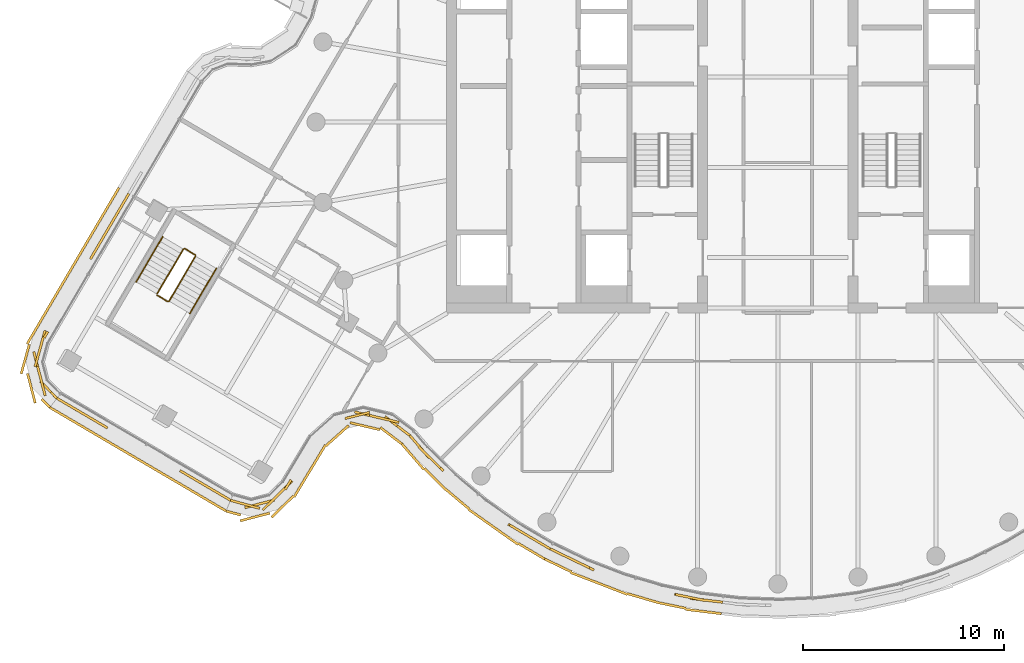
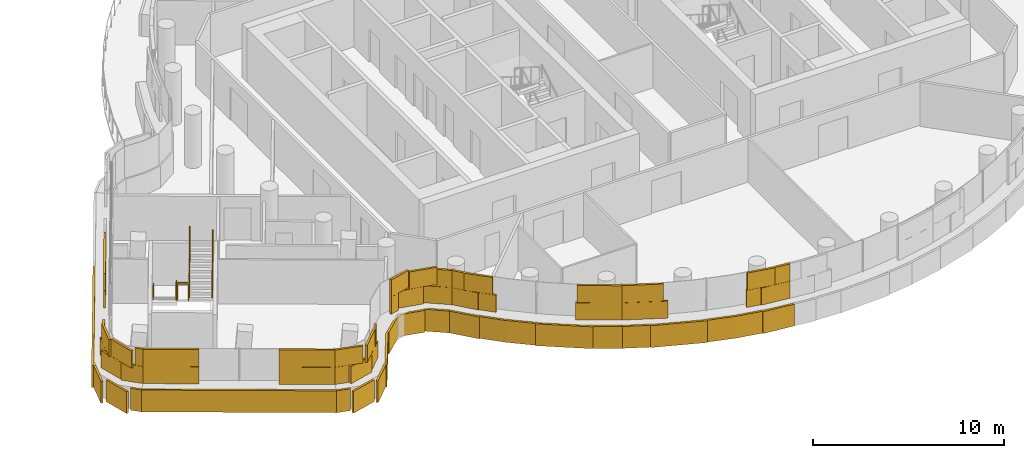
# One storey, part 21 of 26: 6 railings, 5 coverings.
"""IFC4 building model written with IfcOpenShell, lengths in metres."""

import ifcopenshell
import ifcopenshell.guid

model = None  # the IFC model being written
_history = None  # IfcOwnerHistory: only IFC2X3 demands one
_inside = {}  # id of a spatial element -> (the spatial element, [elements in it])
_under = {}  # id of a project, library or spatial element -> (it, [spatial elements below it])
_declared = {}  # id of a project -> (the project, [libraries it declares])
_typed = {}  # id of a type object -> (the type object, [elements of that type])
_made_of = {}  # id of a material, layer set ... -> (it, [elements and type objects made of it])


def new_model(schema):
    """Start an empty IFC model of exactly this schema.

    Asked for "IFC4X3", IfcOpenShell would pick the latest addendum, in which some entities
    have other attributes; the version numbers below select the first issue.
    IFC2X3 requires an IfcOwnerHistory on every rooted entity: one is made here for all.
    """
    global model, _history
    if schema == "IFC4X3":
        model = ifcopenshell.file(schema_version=(4, 3, 0, 0))
    else:
        model = ifcopenshell.file(schema=schema)
    _inside.clear()
    _under.clear()
    _declared.clear()
    _typed.clear()
    _made_of.clear()
    _history = None
    if model.schema == "IFC2X3":
        org = make("IfcOrganization", Name="unknown")
        user = make(
            "IfcPersonAndOrganization",
            ThePerson=make("IfcPerson", FamilyName="unknown"),
            TheOrganization=org,
        )
        app = make(
            "IfcApplication",
            ApplicationDeveloper=org,
            Version="unknown",
            ApplicationFullName="unknown",
            ApplicationIdentifier="unknown",
        )
        _history = make(
            "IfcOwnerHistory",
            OwningUser=user,
            OwningApplication=app,
            ChangeAction="ADDED",
            CreationDate=0,
        )
    return model


def make(cls, **values):
    """One entity of the class cls with the attributes given. An attribute that is None is left unset."""
    return model.create_entity(
        cls, **{name: value for name, value in values.items() if value is not None}
    )


def rooted(cls, **values):
    """An entity with a GlobalId (a new one), such as an element, a storey or a relation."""
    return make(cls, GlobalId=ifcopenshell.guid.new(), OwnerHistory=_history, **values)


def si_unit(unit_type, name, prefix=None):
    """IfcSIUnit, for example si_unit("LENGTHUNIT", "METRE", prefix="MILLI")."""
    return make("IfcSIUnit", UnitType=unit_type, Prefix=prefix, Name=name)


def assignment(units):
    """IfcUnitAssignment: the units of a project."""
    return None if units is None else make("IfcUnitAssignment", Units=units)


def point(xyz):
    """IfcCartesianPoint."""
    return None if xyz is None else make("IfcCartesianPoint", Coordinates=xyz)


def direction(xyz):
    """IfcDirection."""
    return None if xyz is None else make("IfcDirection", DirectionRatios=xyz)


def frame(location, z_axis=None, x_axis=None):
    """IfcAxis2Placement3D, a coordinate frame: its origin and axes. An axis left out is left unset."""
    return make(
        "IfcAxis2Placement3D",
        Location=point(location),
        Axis=direction(z_axis),
        RefDirection=direction(x_axis),
    )


def frame_2d(location, x_axis=None):
    """IfcAxis2Placement2D, a coordinate frame in the plane: its origin and x axis."""
    return make(
        "IfcAxis2Placement2D", Location=point(location), RefDirection=direction(x_axis)
    )


def origin():
    """The frame at (0, 0, 0) with its axes left unset."""
    return frame((0.0, 0.0, 0.0))


def origin_2d():
    """The frame at (0, 0) in the plane with its x axis left unset."""
    return frame_2d((0.0, 0.0))


def place(relative_to, where):
    """IfcLocalPlacement: puts the frame where relative to a parent placement (None: the world)."""
    return make(
        "IfcLocalPlacement", PlacementRelTo=relative_to, RelativePlacement=where
    )


def context(
    kind, dimensions, precision=None, world=None, true_north=None, identifier=None
):
    """IfcGeometricRepresentationContext, for example the 3D "Model" context."""
    return make(
        "IfcGeometricRepresentationContext",
        ContextIdentifier=identifier,
        ContextType=kind,
        CoordinateSpaceDimension=dimensions,
        Precision=precision,
        WorldCoordinateSystem=world,
        TrueNorth=true_north,
    )


def subcontext(parent, identifier, kind, view, scale=None):
    """IfcGeometricRepresentationSubContext, for example "Body" below "Model"."""
    return make(
        "IfcGeometricRepresentationSubContext",
        ContextIdentifier=identifier,
        ContextType=kind,
        ParentContext=parent,
        TargetScale=scale,
        TargetView=view,
    )


def project(units=None, contexts=None):
    """IfcProject with its units and contexts."""
    return rooted(
        "IfcProject",
        Name="project",
        RepresentationContexts=contexts,
        UnitsInContext=assignment(units),
    )


def spatial(cls, under=None, at=None, **own):
    """A site, building, storey or space (cls), placed at a placement, below another one or the project."""
    s = rooted(cls, ObjectPlacement=at, **own)
    if under is not None:
        _under.setdefault(under.id(), (under, []))[1].append(s)
    return s


def profile(cls, at=None, kind="AREA", **sizes):
    """A parametric profile (cls). Its sizes go by their IFC names, for example OverallWidth=200.0."""
    return make(cls, ProfileType=kind, Position=at, **sizes)


def rectangle(**sizes):
    """IfcRectangleProfileDef."""
    return profile("IfcRectangleProfileDef", **sizes)


def circle(**sizes):
    """IfcCircleProfileDef."""
    return profile("IfcCircleProfileDef", **sizes)


def extrude(swept, where, along, depth):
    """IfcExtrudedAreaSolid: the profile swept, set in the frame where, extruded along a direction by depth."""
    return make(
        "IfcExtrudedAreaSolid",
        SweptArea=swept,
        Position=where,
        ExtrudedDirection=direction(along),
        Depth=depth,
    )


def shape(context_of_items, identifier, shape_type, items):
    """IfcShapeRepresentation: the items that make up one representation, for example the "Body"."""
    return make(
        "IfcShapeRepresentation",
        ContextOfItems=context_of_items,
        RepresentationIdentifier=identifier,
        RepresentationType=shape_type,
        Items=items,
    )


def material(Name=None, Category=None):
    """IfcMaterial."""
    return make("IfcMaterial", Name=Name, Category=Category)


def layer(
    of_material, thickness, ventilated=None, Name=None, Category=None, Priority=None
):
    """IfcMaterialLayer: one layer of a wall or slab, of a material (None: an air gap)."""
    return make(
        "IfcMaterialLayer",
        Material=of_material,
        LayerThickness=thickness,
        IsVentilated=ventilated,
        Name=Name,
        Category=Category,
        Priority=Priority,
    )


def layer_set(layers, Name=None):
    """IfcMaterialLayerSet."""
    return make("IfcMaterialLayerSet", MaterialLayers=layers, LayerSetName=Name)


def made_of(thing, what):
    """Note that an element or type object is made of a material, layer set ...; save() writes the relation."""
    if what is not None:
        _made_of.setdefault(what.id(), (what, []))[1].append(thing)
    return thing


def type_object(cls, material=None, **own):
    """A type object (cls), such as IfcWallType, which elements share."""
    return made_of(rooted(cls, **own), material)


def element(
    cls,
    number,
    at=None,
    inside=None,
    cuts=None,
    type_object=None,
    material=None,
    context=None,
    identifier="Body",
    shape_type=None,
    held_by="IfcProductDefinitionShape",
    body=None,
    shapes=None,
    **own,
):
    """One element of the class cls, such as IfcWall. Its Tag is "e" and its number.

    at: its placement. inside: the storey or other place that contains it. cuts: it is an
    opening in that element (IfcRelVoidsElement). A single representation is given by context,
    identifier, shape_type and body (its items); several are given by shapes. held_by: the class
    of the entity that holds the representations. save() writes the other relations.
    """
    e = rooted(cls, Tag="e%d" % number, ObjectPlacement=at, **own)
    if body is not None:
        shapes = [shape(context, identifier, shape_type, body)]
    if shapes is not None:
        e.Representation = make(held_by, Representations=shapes)
    if inside is not None:
        _inside.setdefault(inside.id(), (inside, []))[1].append(e)
    if cuts is not None:
        rooted(
            "IfcRelVoidsElement", RelatingBuildingElement=cuts, RelatedOpeningElement=e
        )
    if type_object is not None:
        _typed.setdefault(type_object.id(), (type_object, []))[1].append(e)
    return made_of(e, material)


def aggregate(whole, parts):
    """IfcRelAggregates: a whole, such as a stair, and the parts it consists of."""
    return rooted("IfcRelAggregates", RelatingObject=whole, RelatedObjects=parts)


def save(model, path):
    """Write the relations noted so far, then the file.

    IfcRelAggregates (storeys below a building ...), IfcRelContainedInSpatialStructure (elements
    in a storey), IfcRelDefinesByType, IfcRelAssociatesMaterial and IfcRelDeclares: one each for
    every whole, place, type object, material and project.
    """
    for whole, parts in _under.values():
        aggregate(whole, parts)
    for where, things in _inside.values():
        rooted(
            "IfcRelContainedInSpatialStructure",
            RelatedElements=things,
            RelatingStructure=where,
        )
    for kind, things in _typed.values():
        rooted("IfcRelDefinesByType", RelatedObjects=things, RelatingType=kind)
    for what, things in _made_of.values():
        rooted("IfcRelAssociatesMaterial", RelatedObjects=things, RelatingMaterial=what)
    for by, libraries in _declared.values():
        rooted("IfcRelDeclares", RelatingContext=by, RelatedDefinitions=libraries)
    model.write(path)


model = new_model("IFC4")

# Units and contexts
model_context = context("Model", 3, precision=1e-05, world=origin(), true_north=direction((0.0, 1.0)))
body_context = subcontext(model_context, "Body", "Model", "MODEL_VIEW")
ifc_project = project(units=[si_unit("LENGTHUNIT", "METRE"), si_unit("AREAUNIT", "SQUARE_METRE"), si_unit("VOLUMEUNIT", "CUBIC_METRE"), si_unit("PLANEANGLEUNIT", "RADIAN"), si_unit("MASSUNIT", "GRAM", prefix="KILO")], contexts=[model_context])

# Site, building, storey
site_placement = place(None, origin())
site = spatial("IfcSite", under=ifc_project, at=site_placement, CompositionType="ELEMENT")
building_placement = place(site_placement, origin())
building = spatial("IfcBuilding", under=site, at=building_placement, Name="Tamarind Cross Interchange Tower", CompositionType="ELEMENT")
storey_placement = place(building_placement, frame((0.0, 0.0, 248.699951171875)))
storey = spatial("IfcBuildingStorey", under=building, at=storey_placement, Name="L63", CompositionType="ELEMENT", Elevation=248.699951171875)

# Railings
ifc_material_1 = material(Name="Stair guard")
railing_type_1 = type_object("IfcRailingType", Name="Stair guard", PredefinedType="GUARDRAIL", material=ifc_material_1)
railing_1_placement = place(storey_placement, frame((-29.6005859375, -6.320068359375, 0.16357421875)))
element("IfcRailing", 1, at=railing_1_placement, inside=storey, type_object=railing_type_1, Name="L63 ST5 stair guard 1", PredefinedType="GUARDRAIL", context=body_context, shape_type="SweptSolid", body=[
    extrude(circle(Radius=0.02392578125, at=origin_2d()), frame((0.0, 0.0, 1.076171875), z_axis=(-0.428889419819, -0.729596769198, 0.532674778775), x_axis=(0.862081423125, -0.506769789849, 0.0)), (0.0, 0.0, 1.0), 3.072265625),
    extrude(circle(Radius=0.02099609375, at=origin_2d()), origin(), (0.0, 0.0, 1.0), 1.052001953125),
    extrude(circle(Radius=0.02099609375, at=origin_2d()), frame((-0.439208984375, -0.7470703125, 0.54541015625)), (0.0, 0.0, 1.0), 1.052001953125),
    extrude(circle(Radius=0.02099609375, at=origin_2d()), frame((-0.87841796875, -1.494384765625, 1.091064453125)), (0.0, 0.0, 1.0), 1.052001953125),
    extrude(circle(Radius=0.02099609375, at=origin_2d()), frame((-1.317626953125, -2.241455078125, 1.636474609375)), (0.0, 0.0, 1.0), 1.052001953125),
])
railing_2_placement = place(storey_placement, frame((-30.900390625, -8.6298828125, 1.800048828125)))
element("IfcRailing", 2, at=railing_2_placement, inside=storey, type_object=railing_type_1, Name="L63 ST5 stair guard 2", PredefinedType="GUARDRAIL", context=body_context, shape_type="SweptSolid", body=[
    extrude(circle(Radius=0.02392578125, at=origin_2d()), frame((0.0, 0.0, 1.076171875), z_axis=(0.862017864933, -0.506877895095, 0.0), x_axis=(0.506877895095, 0.862017864933, 0.0)), (0.0, 0.0, 1.0), 0.60009765625),
    extrude(circle(Radius=0.02099609375, at=origin_2d()), origin(), (0.0, 0.0, 1.0), 1.052001953125),
    extrude(circle(Radius=0.02099609375, at=origin_2d()), frame((0.517333984375, -0.30419921875, 0.0)), (0.0, 0.0, 1.0), 1.052001953125),
])
railing_3_placement = place(storey_placement, frame((-30.314697265625, -8.916259765625, 1.963623046875)))
element("IfcRailing", 3, at=railing_3_placement, inside=storey, type_object=railing_type_1, Name="L63 ST5 stair guard 3", PredefinedType="GUARDRAIL", context=body_context, shape_type="SweptSolid", body=[
    extrude(circle(Radius=0.02392578125, at=origin_2d()), frame((0.0, 0.0, 1.076171875), z_axis=(0.428889419819, 0.729596769198, 0.532674778775), x_axis=(-0.862081423125, 0.506769789849, 0.0)), (0.0, 0.0, 1.0), 3.072265625),
    extrude(circle(Radius=0.02099609375, at=origin_2d()), origin(), (0.0, 0.0, 1.0), 1.052001953125),
    extrude(circle(Radius=0.02099609375, at=origin_2d()), frame((0.439208984375, 0.7470703125, 0.54541015625)), (0.0, 0.0, 1.0), 1.052001953125),
    extrude(circle(Radius=0.02099609375, at=origin_2d()), frame((0.87841796875, 1.494384765625, 1.091064453125)), (0.0, 0.0, 1.0), 1.052001953125),
    extrude(circle(Radius=0.02099609375, at=origin_2d()), frame((1.317626953125, 2.241455078125, 1.636474609375)), (0.0, 0.0, 1.0), 1.052001953125),
])
railing_4_placement = place(storey_placement, frame((-29.5322265625, -6.30224609375, 0.0)))
element("IfcRailing", 4, at=railing_4_placement, inside=storey, type_object=railing_type_1, Name="L63 ST5 stair guard 4", PredefinedType="GUARDRAIL", context=body_context, shape_type="SweptSolid", body=[
    extrude(circle(Radius=0.02392578125, at=origin_2d()), frame((0.0, 0.0, 1.076171875), z_axis=(0.862195596642, -0.506575515724, 0.0), x_axis=(0.506575515724, 0.862195596642, 0.0)), (0.0, 0.0, 1.0), 0.60009765625),
    extrude(circle(Radius=0.02099609375, at=origin_2d()), origin(), (0.0, 0.0, 1.0), 1.052001953125),
    extrude(circle(Radius=0.02099609375, at=origin_2d()), frame((0.517333984375, -0.303955078125, 0.0)), (0.0, 0.0, 1.0), 1.052001953125),
])
ifc_material_2 = material(Name="Stair handrail")
railing_type_2 = type_object("IfcRailingType", Name="Stair handrail", PredefinedType="HANDRAIL", material=ifc_material_2)
railing_5_placement = place(storey_placement, frame((-30.63525390625, -5.7119140625, 0.16357421875)))
element("IfcRailing", 5, at=railing_5_placement, inside=storey, type_object=railing_type_2, Name="L63 ST5 stair handrail 1", PredefinedType="HANDRAIL", context=body_context, shape_type="SweptSolid", body=[
    extrude(circle(Radius=0.02392578125, at=origin_2d()), frame((0.0, 0.0, 0.8759765625), z_axis=(-0.428824566241, -0.729621635037, 0.532692933194), x_axis=(0.862122444297, -0.506700001026, 0.0)), (0.0, 0.0, 1.0), 3.072021484375),
    extrude(circle(Radius=0.02099609375, at=origin_2d()), origin(), (0.0, 0.0, 1.0), 0.851806640625),
    extrude(circle(Radius=0.02099609375, at=origin_2d()), frame((-0.439208984375, -0.7470703125, 0.54541015625)), (0.0, 0.0, 1.0), 0.851806640625),
    extrude(circle(Radius=0.02099609375, at=origin_2d()), frame((-0.878173828125, -1.494384765625, 1.091064453125)), (0.0, 0.0, 1.0), 0.851806640625),
    extrude(circle(Radius=0.02099609375, at=origin_2d()), frame((-1.3173828125, -2.241455078125, 1.636474609375)), (0.0, 0.0, 1.0), 0.851806640625),
])
railing_6_placement = place(storey_placement, frame((-29.2802734375, -9.524169921875, 1.963623046875)))
element("IfcRailing", 6, at=railing_6_placement, inside=storey, type_object=railing_type_2, Name="L63 ST5 stair handrail 2", PredefinedType="HANDRAIL", context=body_context, shape_type="SweptSolid", body=[
    extrude(circle(Radius=0.02392578125, at=origin_2d()), frame((0.0, 0.0, 0.8759765625), z_axis=(0.428889419819, 0.729596769198, 0.532674778775), x_axis=(-0.862081423125, 0.506769789849, 0.0)), (0.0, 0.0, 1.0), 3.072265625),
    extrude(circle(Radius=0.02099609375, at=origin_2d()), origin(), (0.0, 0.0, 1.0), 0.851806640625),
    extrude(circle(Radius=0.02099609375, at=origin_2d()), frame((0.439208984375, 0.7470703125, 0.54541015625)), (0.0, 0.0, 1.0), 0.851806640625),
    extrude(circle(Radius=0.02099609375, at=origin_2d()), frame((0.87841796875, 1.494384765625, 1.091064453125)), (0.0, 0.0, 1.0), 0.851806640625),
    extrude(circle(Radius=0.02099609375, at=origin_2d()), frame((1.317626953125, 2.241455078125, 1.636474609375)), (0.0, 0.0, 1.0), 0.851806640625),
])

# Coverings
ifc_material_3 = material(Name="Terracotta", Category="masonry")
ifc_layer = layer(ifc_material_3, 0.1201171875)
ifc_layer_set = layer_set([ifc_layer], Name="Terracotta")
covering_type = type_object("IfcCoveringType", Name="Terracotta baguette screen unit", PredefinedType="MOLDING", material=ifc_layer_set)
covering_1_placement = place(storey_placement, origin())
element("IfcCovering", 7, at=covering_1_placement, inside=storey, type_object=covering_type, Name="SCR-L63-00-00", PredefinedType="MOLDING", context=body_context, shape_type="SweptSolid", body=[
    extrude(rectangle(XDim=0.760009765625, YDim=0.1201171875, at=origin_2d()), frame((-35.574462890625, -13.943603515625, 1.40380859375), z_axis=(0.0, 0.0, 1.0), x_axis=(0.862103583695, -0.506732089945, 0.0)), (0.0, 0.0, 1.0), 1.092041015625),
    extrude(rectangle(XDim=1.52001953125, YDim=0.1201171875, at=origin_2d()), frame((-34.6044921875, -14.513671875, 1.40380859375), z_axis=(0.0, 0.0, 1.0), x_axis=(0.862103583695, -0.506732089945, 0.0)), (0.0, 0.0, 1.0), 1.092041015625),
    extrude(rectangle(XDim=0.671875, YDim=0.1201171875, at=origin_2d()), frame((-33.672607421875, -15.061279296875, 1.40380859375), z_axis=(0.0, 0.0, 1.0), x_axis=(0.862103583695, -0.506732089945, 0.0)), (0.0, 0.0, 1.0), 1.092041015625),
    extrude(rectangle(XDim=1.148193359375, YDim=0.1201171875, at=origin_2d()), frame((-29.27587890625, -17.645751953125, 1.40380859375), z_axis=(0.0, 0.0, 1.0), x_axis=(0.862103583695, -0.506732089945, 0.0)), (0.0, 0.0, 1.0), 1.092041015625),
    extrude(rectangle(XDim=1.52001953125, YDim=0.1201171875, at=origin_2d()), frame((-28.138671875, -18.314208984375, 1.40380859375), z_axis=(0.0, 0.0, 1.0), x_axis=(0.862103583695, -0.506732089945, 0.0)), (0.0, 0.0, 1.0), 1.092041015625),
    extrude(rectangle(XDim=0.28369140625, YDim=0.1201171875, at=origin_2d()), frame((-27.374267578125, -18.763427734375, 1.40380859375), z_axis=(0.0, 0.0, 1.0), x_axis=(0.862103583695, -0.506732089945, 0.0)), (0.0, 0.0, 1.0), 1.092041015625),
    extrude(rectangle(XDim=1.510009765625, YDim=0.1201171875, at=origin_2d()), frame((-35.2509765625, -14.133544921875, 2.50390625), z_axis=(0.0, 0.0, 1.0), x_axis=(0.862103583695, -0.506732089945, 0.0)), (0.0, 0.0, 1.0), 1.092041015625),
    extrude(rectangle(XDim=1.421875, YDim=0.1201171875, at=origin_2d()), frame((-33.995849609375, -14.871337890625, 2.50390625), z_axis=(0.0, 0.0, 1.0), x_axis=(0.862103583695, -0.506732089945, 0.0)), (0.0, 0.0, 1.0), 1.092041015625),
    extrude(rectangle(XDim=0.398193359375, YDim=0.1201171875, at=origin_2d()), frame((-29.59912109375, -17.45556640625, 2.50390625), z_axis=(0.0, 0.0, 1.0), x_axis=(0.862103583695, -0.506732089945, 0.0)), (0.0, 0.0, 1.0), 1.092041015625),
    extrude(rectangle(XDim=1.52001953125, YDim=0.1201171875, at=origin_2d()), frame((-28.785400390625, -17.93408203125, 2.50390625), z_axis=(0.0, 0.0, 1.0), x_axis=(0.862103583695, -0.506732089945, 0.0)), (0.0, 0.0, 1.0), 1.092041015625),
    extrude(rectangle(XDim=1.03369140625, YDim=0.1201171875, at=origin_2d()), frame((-27.697509765625, -18.573486328125, 2.50390625), z_axis=(0.0, 0.0, 1.0), x_axis=(0.862103583695, -0.506732089945, 0.0)), (0.0, 0.0, 1.0), 1.092041015625),
    extrude(rectangle(XDim=0.760009765625, YDim=0.1201171875, at=origin_2d()), frame((-35.926025390625, -14.402587890625, 0.00390625), z_axis=(0.0, 0.0, 1.0), x_axis=(0.862103583695, -0.506732089945, 0.0)), (0.0, 0.0, 1.0), 1.39208984375),
    extrude(rectangle(XDim=1.52001953125, YDim=0.1201171875, at=origin_2d()), frame((-34.96044921875, -14.97021484375, 0.00390625), z_axis=(0.0, 0.0, 1.0), x_axis=(0.862103583695, -0.506732089945, 0.0)), (0.0, 0.0, 1.0), 1.39208984375),
    extrude(rectangle(XDim=1.52001953125, YDim=0.1201171875, at=origin_2d()), frame((-33.667236328125, -15.730224609375, 0.00390625), z_axis=(0.0, 0.0, 1.0), x_axis=(0.862103583695, -0.506732089945, 0.0)), (0.0, 0.0, 1.0), 1.39208984375),
    extrude(rectangle(XDim=1.52001953125, YDim=0.1201171875, at=origin_2d()), frame((-32.374267578125, -16.490478515625, 0.00390625), z_axis=(0.0, 0.0, 1.0), x_axis=(0.862103583695, -0.506732089945, 0.0)), (0.0, 0.0, 1.0), 1.39208984375),
    extrude(rectangle(XDim=1.52001953125, YDim=0.1201171875, at=origin_2d()), frame((-31.0810546875, -17.25048828125, 0.00390625), z_axis=(0.0, 0.0, 1.0), x_axis=(0.862103583695, -0.506732089945, 0.0)), (0.0, 0.0, 1.0), 1.39208984375),
    extrude(rectangle(XDim=1.52001953125, YDim=0.1201171875, at=origin_2d()), frame((-29.787841796875, -18.010498046875, 0.00390625), z_axis=(0.0, 0.0, 1.0), x_axis=(0.862103583695, -0.506732089945, 0.0)), (0.0, 0.0, 1.0), 1.39208984375),
    extrude(rectangle(XDim=1.52001953125, YDim=0.1201171875, at=origin_2d()), frame((-28.49462890625, -18.770751953125, 0.00390625), z_axis=(0.0, 0.0, 1.0), x_axis=(0.862103583695, -0.506732089945, 0.0)), (0.0, 0.0, 1.0), 1.39208984375),
    extrude(rectangle(XDim=0.434814453125, YDim=0.1201171875, at=origin_2d()), frame((-27.66943359375, -19.255859375, 0.00390625), z_axis=(0.0, 0.0, 1.0), x_axis=(0.862103583695, -0.506732089945, 0.0)), (0.0, 0.0, 1.0), 1.39208984375),
])
covering_2_placement = place(storey_placement, origin())
element("IfcCovering", 8, at=covering_2_placement, inside=storey, type_object=covering_type, Name="SCR-L63-01-00", PredefinedType="MOLDING", context=body_context, shape_type="SweptSolid", body=[
    extrude(rectangle(XDim=0.760009765625, YDim=0.1201171875, at=origin_2d()), frame((-26.894775390625, -18.9326171875, 1.40380859375), z_axis=(0.0, 0.0, 1.0), x_axis=(0.96388003207, -0.266336786376, 0.0)), (0.0, 0.0, 1.0), 1.092041015625),
    extrude(rectangle(XDim=1.52001953125, YDim=0.1201171875, at=origin_2d()), frame((-25.80859375, -19.010498046875, 1.40380859375), z_axis=(0.0, 0.0, 1.0), x_axis=(0.967912987161, 0.251285593071, 0.0)), (0.0, 0.0, 1.0), 1.092041015625),
    extrude(rectangle(XDim=1.305908203125, YDim=0.1201171875, at=origin_2d()), frame((-24.645263671875, -18.324462890625, 1.40380859375), z_axis=(0.0, 0.0, 1.0), x_axis=(0.712594438999, 0.701576200785, 0.0)), (0.0, 0.0, 1.0), 1.092041015625),
    extrude(rectangle(XDim=0.51416015625, YDim=0.1201171875, at=origin_2d()), frame((-21.305419921875, -14.69921875, 1.40380859375), z_axis=(0.0, 0.0, 1.0), x_axis=(0.970094368451, 0.242728070687, 0.0)), (0.0, 0.0, 1.0), 1.092041015625),
    extrude(rectangle(XDim=1.52001953125, YDim=0.1201171875, at=origin_2d()), frame((-20.332275390625, -14.607177734375, 1.40380859375), z_axis=(0.0, 0.0, 1.0), x_axis=(0.973279153852, -0.229625104634, 0.0)), (0.0, 0.0, 1.0), 1.092041015625),
    extrude(rectangle(XDim=1.52001953125, YDim=0.1201171875, at=origin_2d()), frame((-18.955322265625, -15.127197265625, 1.40380859375), z_axis=(0.0, 0.0, 1.0), x_axis=(0.7952192151, -0.606322026596, 0.0)), (0.0, 0.0, 1.0), 1.092041015625),
    extrude(rectangle(XDim=0.0517578125, YDim=0.1201171875, at=origin_2d()), frame((-18.34228515625, -15.594482421875, 1.40380859375), z_axis=(0.0, 0.0, 1.0), x_axis=(0.7952192151, -0.606322026596, 0.0)), (0.0, 0.0, 1.0), 1.092041015625),
    extrude(rectangle(XDim=1.510009765625, YDim=0.1201171875, at=origin_2d()), frame((-26.533203125, -19.03271484375, 2.50390625), z_axis=(0.0, 0.0, 1.0), x_axis=(0.96388003207, -0.266336786376, 0.0)), (0.0, 0.0, 1.0), 1.092041015625),
    extrude(rectangle(XDim=1.52001953125, YDim=0.1201171875, at=origin_2d()), frame((-25.10693359375, -18.779052734375, 2.50390625), z_axis=(0.0, 0.0, 1.0), x_axis=(0.712594438999, 0.701576200785, 0.0)), (0.0, 0.0, 1.0), 1.092041015625),
    extrude(rectangle(XDim=0.555908203125, YDim=0.1201171875, at=origin_2d()), frame((-24.387451171875, -18.053955078125, 2.50390625), z_axis=(0.0, 0.0, 1.0), x_axis=(0.515952381041, 0.856617266052, 0.0)), (0.0, 0.0, 1.0), 1.092041015625),
    extrude(rectangle(XDim=1.26416015625, YDim=0.1201171875, at=origin_2d()), frame((-20.941650390625, -14.6083984375, 2.50390625), z_axis=(0.0, 0.0, 1.0), x_axis=(0.970094368451, 0.242728070687, 0.0)), (0.0, 0.0, 1.0), 1.092041015625),
    extrude(rectangle(XDim=1.52001953125, YDim=0.1201171875, at=origin_2d()), frame((-19.602294921875, -14.779296875, 2.50390625), z_axis=(0.0, 0.0, 1.0), x_axis=(0.973279153852, -0.229625104634, 0.0)), (0.0, 0.0, 1.0), 1.092041015625),
    extrude(rectangle(XDim=0.8017578125, YDim=0.1201171875, at=origin_2d()), frame((-18.640625, -15.3671875, 2.50390625), z_axis=(0.0, 0.0, 1.0), x_axis=(0.7952192151, -0.606322026596, 0.0)), (0.0, 0.0, 1.0), 1.092041015625),
    extrude(rectangle(XDim=0.760009765625, YDim=0.1201171875, at=origin_2d()), frame((-27.11572265625, -19.46728515625, 0.00390625), z_axis=(0.0, 0.0, 1.0), x_axis=(0.96388003207, -0.266336786376, 0.0)), (0.0, 0.0, 1.0), 1.39208984375),
    extrude(rectangle(XDim=1.52001953125, YDim=0.1201171875, at=origin_2d()), frame((-26.03515625, -19.662353515625, 0.00390625), z_axis=(0.0, 0.0, 1.0), x_axis=(0.967912987161, 0.251285593071, 0.0)), (0.0, 0.0, 1.0), 1.39208984375),
    extrude(rectangle(XDim=1.52001953125, YDim=0.1201171875, at=origin_2d()), frame((-24.662109375, -19.146484375, 0.00390625), z_axis=(0.0, 0.0, 1.0), x_axis=(0.712594438999, 0.701576200785, 0.0)), (0.0, 0.0, 1.0), 1.39208984375),
    extrude(rectangle(XDim=1.52001953125, YDim=0.1201171875, at=origin_2d()), frame((-23.69384765625, -18.014892578125, 0.00390625), z_axis=(0.0, 0.0, 1.0), x_axis=(0.515952381041, 0.856617266052, 0.0)), (0.0, 0.0, 1.0), 1.39208984375),
    extrude(rectangle(XDim=1.52001953125, YDim=0.1201171875, at=origin_2d()), frame((-22.919921875, -16.72998046875, 0.00390625), z_axis=(0.0, 0.0, 1.0), x_axis=(0.515952381041, 0.856617266052, 0.0)), (0.0, 0.0, 1.0), 1.39208984375),
    extrude(rectangle(XDim=1.52001953125, YDim=0.1201171875, at=origin_2d()), frame((-21.9384765625, -15.616943359375, 0.00390625), z_axis=(0.0, 0.0, 1.0), x_axis=(0.746304079704, 0.665605153688, 0.0)), (0.0, 0.0, 1.0), 1.39208984375),
    extrude(rectangle(XDim=1.52001953125, YDim=0.1201171875, at=origin_2d()), frame((-20.5615234375, -15.142822265625, 0.00390625), z_axis=(0.0, 0.0, 1.0), x_axis=(0.973279153852, -0.229625104634, 0.0)), (0.0, 0.0, 1.0), 1.39208984375),
    extrude(rectangle(XDim=1.348388671875, YDim=0.1201171875, at=origin_2d()), frame((-19.2568359375, -15.619140625, 0.00390625), z_axis=(0.0, 0.0, 1.0), x_axis=(0.7952192151, -0.606322026596, 0.0)), (0.0, 0.0, 1.0), 1.39208984375),
])
covering_3_placement = place(storey_placement, origin())
element("IfcCovering", 9, at=covering_3_placement, inside=storey, type_object=covering_type, Name="SCR-L63-01-01", PredefinedType="MOLDING", context=body_context, shape_type="SweptSolid", body=[
    extrude(rectangle(XDim=1.46826171875, YDim=0.1201171875, at=origin_2d()), frame((-17.848876953125, -16.15869140625, 1.40380859375), z_axis=(0.0, 0.0, 1.0), x_axis=(0.652587762483, -0.75771314642, 0.0)), (0.0, 0.0, 1.0), 1.092041015625),
    extrude(rectangle(XDim=0.97021484375, YDim=0.1201171875, at=origin_2d()), frame((-17.007568359375, -17.0263671875, 1.40380859375), z_axis=(0.0, 0.0, 1.0), x_axis=(0.710143317658, -0.704057148523, 0.0)), (0.0, 0.0, 1.0), 1.092041015625),
    extrude(rectangle(XDim=0.849853515625, YDim=0.1201171875, at=origin_2d()), frame((-13.05859375, -20.2373046875, 1.40380859375), z_axis=(0.0, 0.0, 1.0), x_axis=(0.861248933065, -0.508183308752, 0.0)), (0.0, 0.0, 1.0), 1.092041015625),
    extrude(rectangle(XDim=1.52001953125, YDim=0.1201171875, at=origin_2d()), frame((-12.051025390625, -20.831787109375, 1.40380859375), z_axis=(0.0, 0.0, 1.0), x_axis=(0.861248933065, -0.508183308752, 0.0)), (0.0, 0.0, 1.0), 1.092041015625),
    extrude(rectangle(XDim=0.088623046875, YDim=0.1201171875, at=origin_2d()), frame((-11.37109375, -21.232666015625, 1.40380859375), z_axis=(0.0, 0.0, 1.0), x_axis=(0.900272776334, -0.435326231914, 0.0)), (0.0, 0.0, 1.0), 1.092041015625),
    extrude(rectangle(XDim=0.71826171875, YDim=0.1201171875, at=origin_2d()), frame((-18.093505859375, -15.87451171875, 2.50390625), z_axis=(0.0, 0.0, 1.0), x_axis=(0.652587762483, -0.75771314642, 0.0)), (0.0, 0.0, 1.0), 1.092041015625),
    extrude(rectangle(XDim=1.52001953125, YDim=0.1201171875, at=origin_2d()), frame((-17.3486328125, -16.688232421875, 2.50390625), z_axis=(0.0, 0.0, 1.0), x_axis=(0.710143317658, -0.704057148523, 0.0)), (0.0, 0.0, 1.0), 1.092041015625),
    extrude(rectangle(XDim=1.52001953125, YDim=0.1201171875, at=origin_2d()), frame((-12.697021484375, -20.45068359375, 2.50390625), z_axis=(0.0, 0.0, 1.0), x_axis=(0.861248933065, -0.508183308752, 0.0)), (0.0, 0.0, 1.0), 1.092041015625),
    extrude(rectangle(XDim=0.838623046875, YDim=0.1201171875, at=origin_2d()), frame((-11.694091796875, -21.042236328125, 2.50390625), z_axis=(0.0, 0.0, 1.0), x_axis=(0.861248933065, -0.508183308752, 0.0)), (0.0, 0.0, 1.0), 1.092041015625),
    extrude(rectangle(XDim=0.171630859375, YDim=0.1201171875, at=origin_2d()), frame((-18.663818359375, -16.092041015625, 0.00390625), z_axis=(0.0, 0.0, 1.0), x_axis=(0.652587762483, -0.75771314642, 0.0)), (0.0, 0.0, 1.0), 1.39208984375),
    extrude(rectangle(XDim=1.52001953125, YDim=0.1201171875, at=origin_2d()), frame((-18.124755859375, -16.7177734375, 0.00390625), z_axis=(0.0, 0.0, 1.0), x_axis=(0.652587762483, -0.75771314642, 0.0)), (0.0, 0.0, 1.0), 1.39208984375),
    extrude(rectangle(XDim=1.52001953125, YDim=0.1201171875, at=origin_2d()), frame((-17.064453125, -17.7783203125, 0.00390625), z_axis=(0.0, 0.0, 1.0), x_axis=(0.710143317658, -0.704057148523, 0.0)), (0.0, 0.0, 1.0), 1.39208984375),
    extrude(rectangle(XDim=1.52001953125, YDim=0.1201171875, at=origin_2d()), frame((-15.9501953125, -18.78076171875, 0.00390625), z_axis=(0.0, 0.0, 1.0), x_axis=(0.765858396687, -0.643009266048, 0.0)), (0.0, 0.0, 1.0), 1.39208984375),
    extrude(rectangle(XDim=1.52001953125, YDim=0.1201171875, at=origin_2d()), frame((-14.7841796875, -19.722900390625, 0.00390625), z_axis=(0.0, 0.0, 1.0), x_axis=(0.816341886298, -0.577568978284, 0.0)), (0.0, 0.0, 1.0), 1.39208984375),
    extrude(rectangle(XDim=1.52001953125, YDim=0.1201171875, at=origin_2d()), frame((-13.5595703125, -20.58935546875, 0.00390625), z_axis=(0.0, 0.0, 1.0), x_axis=(0.816341886298, -0.577568978284, 0.0)), (0.0, 0.0, 1.0), 1.39208984375),
    extrude(rectangle(XDim=1.52001953125, YDim=0.1201171875, at=origin_2d()), frame((-12.276611328125, -21.365234375, 0.00390625), z_axis=(0.0, 0.0, 1.0), x_axis=(0.861248933065, -0.508183308752, 0.0)), (0.0, 0.0, 1.0), 1.39208984375),
    extrude(rectangle(XDim=0.036376953125, YDim=0.1201171875, at=origin_2d()), frame((-11.62255859375, -21.748779296875, 0.00390625), z_axis=(0.0, 0.0, 1.0), x_axis=(0.900272776334, -0.435326231914, 0.0)), (0.0, 0.0, 1.0), 1.39208984375),
])
covering_4_placement = place(storey_placement, origin())
element("IfcCovering", 10, at=covering_4_placement, inside=storey, type_object=covering_type, Name="SCR-L63-01-02", PredefinedType="MOLDING", context=body_context, shape_type="SweptSolid", body=[
    extrude(rectangle(XDim=1.431396484375, YDim=0.1201171875, at=origin_2d()), frame((-10.696044921875, -21.559326171875, 1.40380859375), z_axis=(0.0, 0.0, 1.0), x_axis=(0.900272776334, -0.435326231914, 0.0)), (0.0, 0.0, 1.0), 1.092041015625),
    extrude(rectangle(XDim=1.01025390625, YDim=0.1201171875, at=origin_2d()), frame((-9.60595703125, -22.08642578125, 1.40380859375), z_axis=(0.0, 0.0, 1.0), x_axis=(0.900272776334, -0.435326231914, 0.0)), (0.0, 0.0, 1.0), 1.092041015625),
    extrude(rectangle(XDim=0.809814453125, YDim=0.1201171875, at=origin_2d()), frame((-4.744384765625, -23.59326171875, 1.40380859375), z_axis=(0.0, 0.0, 1.0), x_axis=(0.9795909409, -0.201001463943, 0.0)), (0.0, 0.0, 1.0), 1.092041015625),
    extrude(rectangle(XDim=1.52001953125, YDim=0.1201171875, at=origin_2d()), frame((-3.61474609375, -23.80419921875, 1.40380859375), z_axis=(0.0, 0.0, 1.0), x_axis=(0.992843710523, -0.119420963295, 0.0)), (0.0, 0.0, 1.0), 1.092041015625),
    extrude(rectangle(XDim=0.1318359375, YDim=0.1201171875, at=origin_2d()), frame((-2.8095703125, -23.90087890625, 1.40380859375), z_axis=(0.0, 0.0, 1.0), x_axis=(0.992843710523, -0.119420963295, 0.0)), (0.0, 0.0, 1.0), 1.092041015625),
    extrude(rectangle(XDim=0.681396484375, YDim=0.1201171875, at=origin_2d()), frame((-11.033447265625, -21.39599609375, 2.50390625), z_axis=(0.0, 0.0, 1.0), x_axis=(0.900272776334, -0.435326231914, 0.0)), (0.0, 0.0, 1.0), 1.092041015625),
    extrude(rectangle(XDim=1.52001953125, YDim=0.1201171875, at=origin_2d()), frame((-10.05615234375, -21.86865234375, 2.50390625), z_axis=(0.0, 0.0, 1.0), x_axis=(0.900272776334, -0.435326231914, 0.0)), (0.0, 0.0, 1.0), 1.092041015625),
    extrude(rectangle(XDim=1.52001953125, YDim=0.1201171875, at=origin_2d()), frame((-4.352783203125, -23.673828125, 2.50390625), z_axis=(0.0, 0.0, 1.0), x_axis=(0.9795909409, -0.201001463943, 0.0)), (0.0, 0.0, 1.0), 1.092041015625),
    extrude(rectangle(XDim=0.8818359375, YDim=0.1201171875, at=origin_2d()), frame((-3.181884765625, -23.856201171875, 2.50390625), z_axis=(0.0, 0.0, 1.0), x_axis=(0.992843710523, -0.119420963295, 0.0)), (0.0, 0.0, 1.0), 1.092041015625),
    extrude(rectangle(XDim=1.483642578125, YDim=0.1201171875, at=origin_2d()), frame((-10.9384765625, -22.07958984375, 0.00390625), z_axis=(0.0, 0.0, 1.0), x_axis=(0.900272776334, -0.435326231914, 0.0)), (0.0, 0.0, 1.0), 1.39208984375),
    extrude(rectangle(XDim=1.52001953125, YDim=0.1201171875, at=origin_2d()), frame((-9.596923828125, -22.70751953125, 0.00390625), z_axis=(0.0, 0.0, 1.0), x_axis=(0.933146843667, -0.359495435512, 0.0)), (0.0, 0.0, 1.0), 1.39208984375),
    extrude(rectangle(XDim=1.52001953125, YDim=0.1201171875, at=origin_2d()), frame((-8.197265625, -23.246826171875, 0.00390625), z_axis=(0.0, 0.0, 1.0), x_axis=(0.933146843667, -0.359495435512, 0.0)), (0.0, 0.0, 1.0), 1.39208984375),
    extrude(rectangle(XDim=1.52001953125, YDim=0.1201171875, at=origin_2d()), frame((-6.765869140625, -23.69287109375, 0.00390625), z_axis=(0.0, 0.0, 1.0), x_axis=(0.95964657186, -0.281208920763, 0.0)), (0.0, 0.0, 1.0), 1.39208984375),
    extrude(rectangle(XDim=1.52001953125, YDim=0.1201171875, at=origin_2d()), frame((-5.3134765625, -24.0625, 0.00390625), z_axis=(0.0, 0.0, 1.0), x_axis=(0.9795909409, -0.201001463943, 0.0)), (0.0, 0.0, 1.0), 1.39208984375),
    extrude(rectangle(XDim=1.52001953125, YDim=0.1201171875, at=origin_2d()), frame((-3.842529296875, -24.354736328125, 0.00390625), z_axis=(0.0, 0.0, 1.0), x_axis=(0.992843710523, -0.119420963295, 0.0)), (0.0, 0.0, 1.0), 1.39208984375),
    extrude(rectangle(XDim=0.29541015625, YDim=0.1201171875, at=origin_2d()), frame((-2.96142578125, -24.4609375, 0.00390625), z_axis=(0.0, 0.0, 1.0), x_axis=(0.992843710523, -0.119420963295, 0.0)), (0.0, 0.0, 1.0), 1.39208984375),
])
covering_5_placement = place(storey_placement, origin())
element("IfcCovering", 11, at=covering_5_placement, inside=storey, type_object=covering_type, Name="SCR-L63-05-01", PredefinedType="MOLDING", context=body_context, shape_type="SweptSolid", body=[
    extrude(rectangle(XDim=0.08349609375, YDim=0.1201171875, at=origin_2d()), frame((-32.336669921875, -3.593994140625, 1.40380859375), z_axis=(0.0, 0.0, 1.0), x_axis=(-0.506732089945, -0.862103583695, 0.0)), (0.0, 0.0, 1.0), 1.092041015625),
    extrude(rectangle(XDim=1.52001953125, YDim=0.1201171875, at=origin_2d()), frame((-32.735107421875, -4.272216796875, 1.40380859375), z_axis=(0.0, 0.0, 1.0), x_axis=(-0.506732089945, -0.862103583695, 0.0)), (0.0, 0.0, 1.0), 1.092041015625),
    extrude(rectangle(XDim=1.52001953125, YDim=0.1201171875, at=origin_2d()), frame((-33.495361328125, -5.5654296875, 1.40380859375), z_axis=(0.0, 0.0, 1.0), x_axis=(-0.506732089945, -0.862103583695, 0.0)), (0.0, 0.0, 1.0), 1.092041015625),
    extrude(rectangle(XDim=0.71044921875, YDim=0.1201171875, at=origin_2d()), frame((-34.052734375, -6.513916015625, 1.40380859375), z_axis=(0.0, 0.0, 1.0), x_axis=(-0.506732089945, -0.862103583695, 0.0)), (0.0, 0.0, 1.0), 1.092041015625),
    extrude(rectangle(XDim=1.109619140625, YDim=0.1201171875, at=origin_2d()), frame((-36.63671875, -10.910888671875, 1.40380859375), z_axis=(0.0, 0.0, 1.0), x_axis=(-0.266336786376, -0.96388003207, 0.0)), (0.0, 0.0, 1.0), 1.092041015625),
    extrude(rectangle(XDim=1.52001953125, YDim=0.1201171875, at=origin_2d()), frame((-36.863525390625, -12.16455078125, 1.40380859375), z_axis=(0.0, 0.0, 1.0), x_axis=(0.251285593071, -0.967912987161, 0.0)), (0.0, 0.0, 1.0), 1.092041015625),
    extrude(rectangle(XDim=1.184326171875, YDim=0.1201171875, at=origin_2d()), frame((-36.3095703125, -13.335205078125, 1.40380859375), z_axis=(0.0, 0.0, 1.0), x_axis=(0.701576200785, -0.712594438999, 0.0)), (0.0, 0.0, 1.0), 1.092041015625),
    extrude(rectangle(XDim=0.83349609375, YDim=0.1201171875, at=origin_2d()), frame((-32.526611328125, -3.917236328125, 2.50390625), z_axis=(0.0, 0.0, 1.0), x_axis=(-0.506732089945, -0.862103583695, 0.0)), (0.0, 0.0, 1.0), 1.092041015625),
    extrude(rectangle(XDim=1.52001953125, YDim=0.1201171875, at=origin_2d()), frame((-33.115234375, -4.918701171875, 2.50390625), z_axis=(0.0, 0.0, 1.0), x_axis=(-0.506732089945, -0.862103583695, 0.0)), (0.0, 0.0, 1.0), 1.092041015625),
    extrude(rectangle(XDim=1.46044921875, YDim=0.1201171875, at=origin_2d()), frame((-33.86279296875, -6.1904296875, 2.50390625), z_axis=(0.0, 0.0, 1.0), x_axis=(-0.506732089945, -0.862103583695, 0.0)), (0.0, 0.0, 1.0), 1.092041015625),
    extrude(rectangle(XDim=0.359619140625, YDim=0.1201171875, at=origin_2d()), frame((-36.447021484375, -10.587158203125, 2.50390625), z_axis=(0.0, 0.0, 1.0), x_axis=(-0.506732089945, -0.862103583695, 0.0)), (0.0, 0.0, 1.0), 1.092041015625),
    extrude(rectangle(XDim=1.52001953125, YDim=0.1201171875, at=origin_2d()), frame((-36.783203125, -11.440673828125, 2.50390625), z_axis=(0.0, 0.0, 1.0), x_axis=(-0.266336786376, -0.96388003207, 0.0)), (0.0, 0.0, 1.0), 1.092041015625),
    extrude(rectangle(XDim=1.52001953125, YDim=0.1201171875, at=origin_2d()), frame((-36.675048828125, -12.890380859375, 2.50390625), z_axis=(0.0, 0.0, 1.0), x_axis=(0.251285593071, -0.967912987161, 0.0)), (0.0, 0.0, 1.0), 1.092041015625),
    extrude(rectangle(XDim=0.434326171875, YDim=0.1201171875, at=origin_2d()), frame((-36.04638671875, -13.602294921875, 2.50390625), z_axis=(0.0, 0.0, 1.0), x_axis=(0.701576200785, -0.712594438999, 0.0)), (0.0, 0.0, 1.0), 1.092041015625),
    extrude(rectangle(XDim=1.52001953125, YDim=0.1201171875, at=origin_2d()), frame((-33.197509765625, -3.926025390625, 0.00390625), z_axis=(0.0, 0.0, 1.0), x_axis=(-0.506732089945, -0.862103583695, 0.0)), (0.0, 0.0, 1.0), 1.39208984375),
    extrude(rectangle(XDim=1.52001953125, YDim=0.1201171875, at=origin_2d()), frame((-33.957763671875, -5.21923828125, 0.00390625), z_axis=(0.0, 0.0, 1.0), x_axis=(-0.506732089945, -0.862103583695, 0.0)), (0.0, 0.0, 1.0), 1.39208984375),
    extrude(rectangle(XDim=1.52001953125, YDim=0.1201171875, at=origin_2d()), frame((-34.7177734375, -6.512451171875, 0.00390625), z_axis=(0.0, 0.0, 1.0), x_axis=(-0.506732089945, -0.862103583695, 0.0)), (0.0, 0.0, 1.0), 1.39208984375),
    extrude(rectangle(XDim=1.52001953125, YDim=0.1201171875, at=origin_2d()), frame((-35.477783203125, -7.8056640625, 0.00390625), z_axis=(0.0, 0.0, 1.0), x_axis=(-0.506732089945, -0.862103583695, 0.0)), (0.0, 0.0, 1.0), 1.39208984375),
    extrude(rectangle(XDim=1.52001953125, YDim=0.1201171875, at=origin_2d()), frame((-36.238037109375, -9.0986328125, 0.00390625), z_axis=(0.0, 0.0, 1.0), x_axis=(-0.506732089945, -0.862103583695, 0.0)), (0.0, 0.0, 1.0), 1.39208984375),
    extrude(rectangle(XDim=1.52001953125, YDim=0.1201171875, at=origin_2d()), frame((-36.998046875, -10.391845703125, 0.00390625), z_axis=(0.0, 0.0, 1.0), x_axis=(-0.506732089945, -0.862103583695, 0.0)), (0.0, 0.0, 1.0), 1.39208984375),
    extrude(rectangle(XDim=1.52001953125, YDim=0.1201171875, at=origin_2d()), frame((-37.478759765625, -11.80322265625, 0.00390625), z_axis=(0.0, 0.0, 1.0), x_axis=(-0.266336786376, -0.96388003207, 0.0)), (0.0, 0.0, 1.0), 1.39208984375),
    extrude(rectangle(XDim=1.52001953125, YDim=0.1201171875, at=origin_2d()), frame((-37.173583984375, -13.254638671875, 0.00390625), z_axis=(0.0, 0.0, 1.0), x_axis=(0.251285593071, -0.967912987161, 0.0)), (0.0, 0.0, 1.0), 1.39208984375),
    extrude(rectangle(XDim=0.59033203125, YDim=0.1201171875, at=origin_2d()), frame((-36.460693359375, -13.999755859375, 0.00390625), z_axis=(0.0, 0.0, 1.0), x_axis=(0.701576200785, -0.712594438999, 0.0)), (0.0, 0.0, 1.0), 1.39208984375),
])

save(model, "model.ifc")
